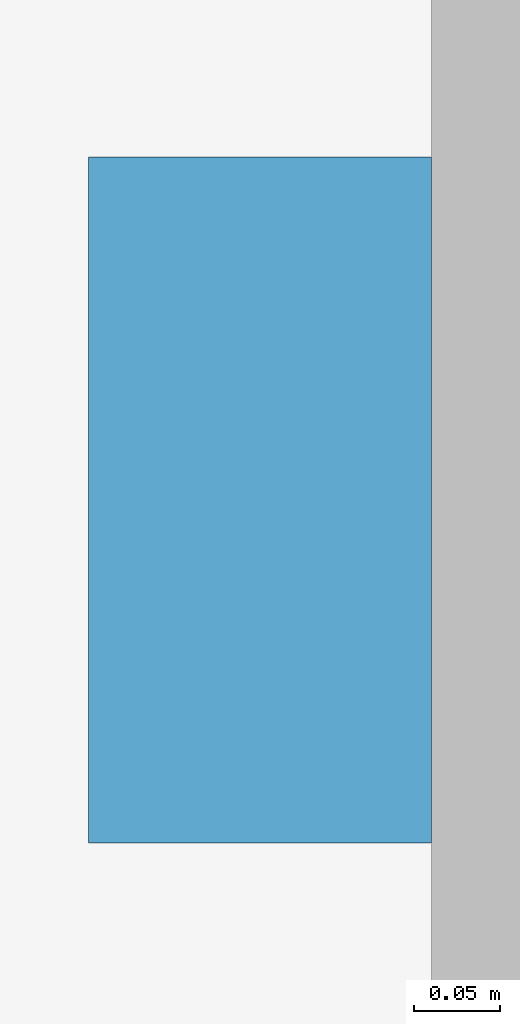
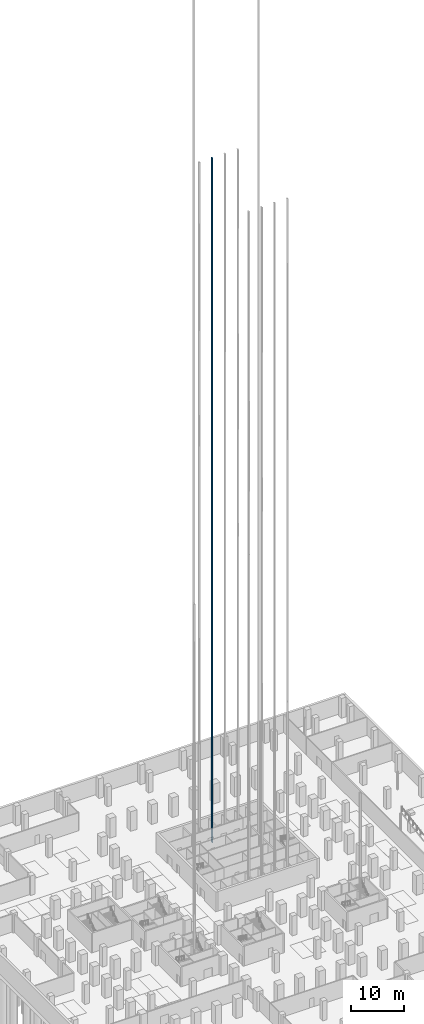
# One storey, part 30 of 37: 1 discrete accessory.
"""IFC4 building model written with IfcOpenShell, lengths in metres."""

import ifcopenshell
import ifcopenshell.guid

model = None  # the IFC model being written
_history = None  # IfcOwnerHistory: only IFC2X3 demands one
_inside = {}  # id of a spatial element -> (the spatial element, [elements in it])
_under = {}  # id of a project, library or spatial element -> (it, [spatial elements below it])
_declared = {}  # id of a project -> (the project, [libraries it declares])
_typed = {}  # id of a type object -> (the type object, [elements of that type])
_made_of = {}  # id of a material, layer set ... -> (it, [elements and type objects made of it])


def new_model(schema):
    """Start an empty IFC model of exactly this schema.

    Asked for "IFC4X3", IfcOpenShell would pick the latest addendum, in which some entities
    have other attributes; the version numbers below select the first issue.
    IFC2X3 requires an IfcOwnerHistory on every rooted entity: one is made here for all.
    """
    global model, _history
    if schema == "IFC4X3":
        model = ifcopenshell.file(schema_version=(4, 3, 0, 0))
    else:
        model = ifcopenshell.file(schema=schema)
    _inside.clear()
    _under.clear()
    _declared.clear()
    _typed.clear()
    _made_of.clear()
    _history = None
    if model.schema == "IFC2X3":
        org = make("IfcOrganization", Name="unknown")
        user = make(
            "IfcPersonAndOrganization",
            ThePerson=make("IfcPerson", FamilyName="unknown"),
            TheOrganization=org,
        )
        app = make(
            "IfcApplication",
            ApplicationDeveloper=org,
            Version="unknown",
            ApplicationFullName="unknown",
            ApplicationIdentifier="unknown",
        )
        _history = make(
            "IfcOwnerHistory",
            OwningUser=user,
            OwningApplication=app,
            ChangeAction="ADDED",
            CreationDate=0,
        )
    return model


def make(cls, **values):
    """One entity of the class cls with the attributes given. An attribute that is None is left unset."""
    return model.create_entity(
        cls, **{name: value for name, value in values.items() if value is not None}
    )


def rooted(cls, **values):
    """An entity with a GlobalId (a new one), such as an element, a storey or a relation."""
    return make(cls, GlobalId=ifcopenshell.guid.new(), OwnerHistory=_history, **values)


def si_unit(unit_type, name, prefix=None):
    """IfcSIUnit, for example si_unit("LENGTHUNIT", "METRE", prefix="MILLI")."""
    return make("IfcSIUnit", UnitType=unit_type, Prefix=prefix, Name=name)


def assignment(units):
    """IfcUnitAssignment: the units of a project."""
    return None if units is None else make("IfcUnitAssignment", Units=units)


def point(xyz):
    """IfcCartesianPoint."""
    return None if xyz is None else make("IfcCartesianPoint", Coordinates=xyz)


def direction(xyz):
    """IfcDirection."""
    return None if xyz is None else make("IfcDirection", DirectionRatios=xyz)


def frame(location, z_axis=None, x_axis=None):
    """IfcAxis2Placement3D, a coordinate frame: its origin and axes. An axis left out is left unset."""
    return make(
        "IfcAxis2Placement3D",
        Location=point(location),
        Axis=direction(z_axis),
        RefDirection=direction(x_axis),
    )


def frame_2d(location, x_axis=None):
    """IfcAxis2Placement2D, a coordinate frame in the plane: its origin and x axis."""
    return make(
        "IfcAxis2Placement2D", Location=point(location), RefDirection=direction(x_axis)
    )


def origin():
    """The frame at (0, 0, 0) with its axes left unset."""
    return frame((0.0, 0.0, 0.0))


def origin_2d():
    """The frame at (0, 0) in the plane with its x axis left unset."""
    return frame_2d((0.0, 0.0))


def place(relative_to, where):
    """IfcLocalPlacement: puts the frame where relative to a parent placement (None: the world)."""
    return make(
        "IfcLocalPlacement", PlacementRelTo=relative_to, RelativePlacement=where
    )


def context(
    kind, dimensions, precision=None, world=None, true_north=None, identifier=None
):
    """IfcGeometricRepresentationContext, for example the 3D "Model" context."""
    return make(
        "IfcGeometricRepresentationContext",
        ContextIdentifier=identifier,
        ContextType=kind,
        CoordinateSpaceDimension=dimensions,
        Precision=precision,
        WorldCoordinateSystem=world,
        TrueNorth=true_north,
    )


def subcontext(parent, identifier, kind, view, scale=None):
    """IfcGeometricRepresentationSubContext, for example "Body" below "Model"."""
    return make(
        "IfcGeometricRepresentationSubContext",
        ContextIdentifier=identifier,
        ContextType=kind,
        ParentContext=parent,
        TargetScale=scale,
        TargetView=view,
    )


def project(units=None, contexts=None):
    """IfcProject with its units and contexts."""
    return rooted(
        "IfcProject",
        Name="project",
        RepresentationContexts=contexts,
        UnitsInContext=assignment(units),
    )


def spatial(cls, under=None, at=None, **own):
    """A site, building, storey or space (cls), placed at a placement, below another one or the project."""
    s = rooted(cls, ObjectPlacement=at, **own)
    if under is not None:
        _under.setdefault(under.id(), (under, []))[1].append(s)
    return s


def profile(cls, at=None, kind="AREA", **sizes):
    """A parametric profile (cls). Its sizes go by their IFC names, for example OverallWidth=200.0."""
    return make(cls, ProfileType=kind, Position=at, **sizes)


def rectangle(**sizes):
    """IfcRectangleProfileDef."""
    return profile("IfcRectangleProfileDef", **sizes)


def extrude(swept, where, along, depth):
    """IfcExtrudedAreaSolid: the profile swept, set in the frame where, extruded along a direction by depth."""
    return make(
        "IfcExtrudedAreaSolid",
        SweptArea=swept,
        Position=where,
        ExtrudedDirection=direction(along),
        Depth=depth,
    )


def shape(context_of_items, identifier, shape_type, items):
    """IfcShapeRepresentation: the items that make up one representation, for example the "Body"."""
    return make(
        "IfcShapeRepresentation",
        ContextOfItems=context_of_items,
        RepresentationIdentifier=identifier,
        RepresentationType=shape_type,
        Items=items,
    )


def material(Name=None, Category=None):
    """IfcMaterial."""
    return make("IfcMaterial", Name=Name, Category=Category)


def made_of(thing, what):
    """Note that an element or type object is made of a material, layer set ...; save() writes the relation."""
    if what is not None:
        _made_of.setdefault(what.id(), (what, []))[1].append(thing)
    return thing


def element(
    cls,
    number,
    at=None,
    inside=None,
    cuts=None,
    type_object=None,
    material=None,
    context=None,
    identifier="Body",
    shape_type=None,
    held_by="IfcProductDefinitionShape",
    body=None,
    shapes=None,
    **own,
):
    """One element of the class cls, such as IfcWall. Its Tag is "e" and its number.

    at: its placement. inside: the storey or other place that contains it. cuts: it is an
    opening in that element (IfcRelVoidsElement). A single representation is given by context,
    identifier, shape_type and body (its items); several are given by shapes. held_by: the class
    of the entity that holds the representations. save() writes the other relations.
    """
    e = rooted(cls, Tag="e%d" % number, ObjectPlacement=at, **own)
    if body is not None:
        shapes = [shape(context, identifier, shape_type, body)]
    if shapes is not None:
        e.Representation = make(held_by, Representations=shapes)
    if inside is not None:
        _inside.setdefault(inside.id(), (inside, []))[1].append(e)
    if cuts is not None:
        rooted(
            "IfcRelVoidsElement", RelatingBuildingElement=cuts, RelatedOpeningElement=e
        )
    if type_object is not None:
        _typed.setdefault(type_object.id(), (type_object, []))[1].append(e)
    return made_of(e, material)


def aggregate(whole, parts):
    """IfcRelAggregates: a whole, such as a stair, and the parts it consists of."""
    return rooted("IfcRelAggregates", RelatingObject=whole, RelatedObjects=parts)


def save(model, path):
    """Write the relations noted so far, then the file.

    IfcRelAggregates (storeys below a building ...), IfcRelContainedInSpatialStructure (elements
    in a storey), IfcRelDefinesByType, IfcRelAssociatesMaterial and IfcRelDeclares: one each for
    every whole, place, type object, material and project.
    """
    for whole, parts in _under.values():
        aggregate(whole, parts)
    for where, things in _inside.values():
        rooted(
            "IfcRelContainedInSpatialStructure",
            RelatedElements=things,
            RelatingStructure=where,
        )
    for kind, things in _typed.values():
        rooted("IfcRelDefinesByType", RelatedObjects=things, RelatingType=kind)
    for what, things in _made_of.values():
        rooted("IfcRelAssociatesMaterial", RelatedObjects=things, RelatingMaterial=what)
    for by, libraries in _declared.values():
        rooted("IfcRelDeclares", RelatingContext=by, RelatedDefinitions=libraries)
    model.write(path)


model = new_model("IFC4")

# Units and contexts
model_context = context("Model", 3, precision=1e-05, world=origin(), true_north=direction((0.0, 1.0)))
body_context = subcontext(model_context, "Body", "Model", "MODEL_VIEW")
ifc_project = project(units=[si_unit("LENGTHUNIT", "METRE"), si_unit("AREAUNIT", "SQUARE_METRE"), si_unit("VOLUMEUNIT", "CUBIC_METRE"), si_unit("PLANEANGLEUNIT", "RADIAN"), si_unit("MASSUNIT", "GRAM", prefix="KILO")], contexts=[model_context])

# Site, building, storey
site_placement = place(None, origin())
site = spatial("IfcSite", under=ifc_project, at=site_placement, CompositionType="ELEMENT")
building_placement = place(site_placement, origin())
building = spatial("IfcBuilding", under=site, at=building_placement, Name="Quoin Convention Tower", CompositionType="ELEMENT")
storey_placement = place(building_placement, frame((0.0, 0.0, -9.0)))
storey = spatial("IfcBuildingStorey", under=building, at=storey_placement, Name="B2", CompositionType="ELEMENT", Elevation=-9.0)

# Discrete accessory
ifc_material = material(Name="Galvanised steel", Category="steel")
discrete_accessory_placement = place(storey_placement, frame((56.050048828125, 70.050048828125, -0.349853515625), z_axis=(0.0, 0.0, 1.0), x_axis=(1.0, 0.0, 0.0)))
element("IfcDiscreteAccessory", 1, at=discrete_accessory_placement, inside=storey, material=ifc_material, Name="LIFT GUIDE RAILS L6", ObjectType="Lift guide rails", PredefinedType="USERDEFINED", context=body_context, shape_type="SweptSolid", body=[
    extrude(rectangle(XDim=0.199951171875, YDim=0.39990234375, at=origin_2d()), origin(), (0.0, 0.0, 1.0), 156.89990234375),
])

save(model, "model.ifc")
